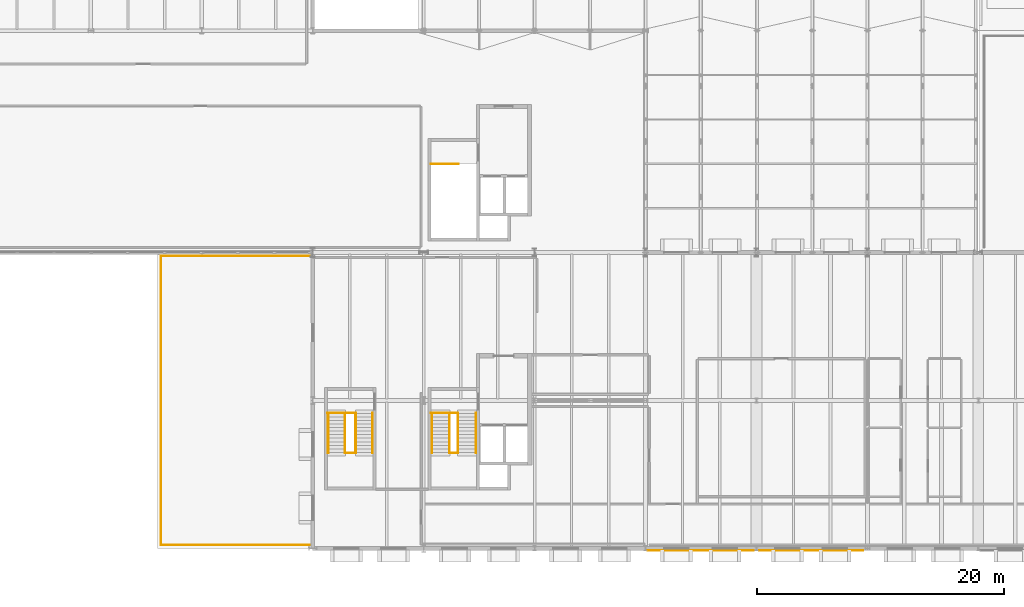
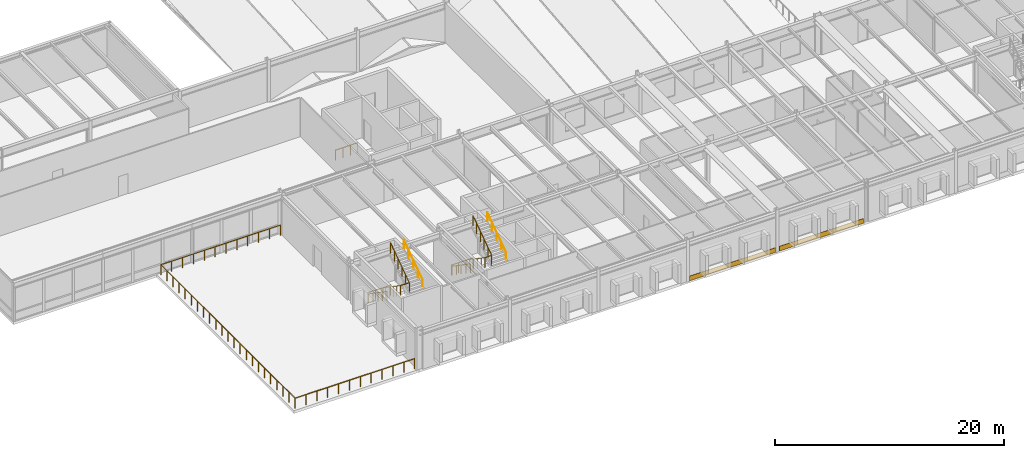
# One storey, part 139 of 142: 16 railings, 2 coverings.
"""IFC4 building model written with IfcOpenShell, lengths in metres."""

from ifc_helpers import new_model, si_unit, direction, frame, origin, origin_2d, place, context, subcontext, project, spatial, rectangle, circle, extrude, material, layer, layer_set, type_object, element, save


model = new_model("IFC4")

# Units and contexts
model_context = context("Model", 3, precision=1e-05, world=origin(), true_north=direction((0.0, 1.0)))
body_context = subcontext(model_context, "Body", "Model", "MODEL_VIEW")
ifc_project = project(units=[si_unit("LENGTHUNIT", "METRE"), si_unit("AREAUNIT", "SQUARE_METRE"), si_unit("VOLUMEUNIT", "CUBIC_METRE"), si_unit("PLANEANGLEUNIT", "RADIAN"), si_unit("MASSUNIT", "GRAM", prefix="KILO")], contexts=[model_context])

# Site, building, storey
site_placement = place(None, origin())
site = spatial("IfcSite", under=ifc_project, at=site_placement, CompositionType="ELEMENT")
building_placement = place(site_placement, origin())
building = spatial("IfcBuilding", under=site, at=building_placement, Name="Montelvaro Courts of Justice", CompositionType="ELEMENT")
storey_placement = place(building_placement, frame((0.0, 0.0, 14.39990234375)))
storey = spatial("IfcBuildingStorey", under=building, at=storey_placement, Name="L03", CompositionType="ELEMENT", Elevation=14.39990234375)

# Coverings
ifc_material_1 = material(Name="White mineral precast concrete C45/55", Category="concrete")
ifc_layer = layer(ifc_material_1, 0.0400390625)
ifc_layer_set = layer_set([ifc_layer], Name="White mineral precast concrete C45/55")
covering_type = type_object("IfcCoveringType", Name="BarCladding_GFRC", PredefinedType="CLADDING", material=ifc_layer_set)
covering_1_placement = place(storey_placement, frame((76.47509765625, -0.162109375, 0.030029296875), z_axis=(0.0, 0.0, 1.0), x_axis=(1.0, 0.0, 0.0)))
element("IfcCovering", 1, at=covering_1_placement, inside=storey, type_object=covering_type, Name="Horizontal White Bar Spandrel Cladding CL-01-017", PredefinedType="CLADDING", context=body_context, shape_type="SweptSolid", body=[
    extrude(rectangle(XDim=8.634033203125, YDim=0.0400390625, at=origin_2d()), origin(), (0.0, 0.0, 1.0), 0.5),
])
covering_2_placement = place(storey_placement, frame((85.43994140625, -0.162109375, 0.030029296875), z_axis=(0.0, 0.0, 1.0), x_axis=(1.0, 0.0, 0.0)))
element("IfcCovering", 2, at=covering_2_placement, inside=storey, type_object=covering_type, Name="Horizontal White Bar Spandrel Cladding CL-01-018", PredefinedType="CLADDING", context=body_context, shape_type="SweptSolid", body=[
    extrude(rectangle(XDim=8.464111328125, YDim=0.0400390625, at=origin_2d()), origin(), (0.0, 0.0, 1.0), 0.5),
])

# Railings
ifc_material_2 = material(Name="Steel S355", Category="steel")
railing_type_1 = type_object("IfcRailingType", Name="InteriorGuard_1100", PredefinedType="BALUSTRADE", material=ifc_material_2)
railing_1_placement = place(storey_placement, frame((54.60009765625, 11.0, 0.0)))
element("IfcRailing", 3, at=railing_1_placement, inside=storey, type_object=railing_type_1, Name="Stair Well Guard GR-02 ST-K1-L02-TLG", PredefinedType="BALUSTRADE", context=body_context, shape_type="SweptSolid", body=[
    extrude(circle(Radius=0.02392578125, at=origin_2d()), frame((0.0, 0.0, 1.076171875), z_axis=(1.0, 0.0, 0.0), x_axis=(0.0, 1.0, 0.0)), (0.0, 0.0, 1.0), 2.18994140625),
    extrude(circle(Radius=0.02099609375, at=origin_2d()), origin(), (0.0, 0.0, 1.0), 1.052001953125),
    extrude(circle(Radius=0.02099609375, at=origin_2d()), frame((0.72998046875, 0.0, 0.0)), (0.0, 0.0, 1.0), 1.052001953125),
    extrude(circle(Radius=0.02099609375, at=origin_2d()), frame((1.4599609375, 0.0, 0.0)), (0.0, 0.0, 1.0), 1.052001953125),
    extrude(circle(Radius=0.02099609375, at=origin_2d()), frame((2.18994140625, 0.0, 0.0)), (0.0, 0.0, 1.0), 1.052001953125),
])
railing_2_placement = place(storey_placement, frame((56.110107421875, 11.0, 0.0)))
element("IfcRailing", 4, at=railing_2_placement, inside=storey, type_object=railing_type_1, Name="Stair Well Guard GR-02 ST-K1-L03-F1G", PredefinedType="BALUSTRADE", context=body_context, shape_type="SweptSolid", body=[
    extrude(circle(Radius=0.02392578125, at=origin_2d()), frame((0.0, 0.0, 1.076171875), z_axis=(0.0, -0.823407228882, 0.567450910146), x_axis=(1.0, 0.0, 0.0)), (0.0, 0.0, 1.0), 3.965087890625),
    extrude(circle(Radius=0.02099609375, at=origin_2d()), origin(), (0.0, 0.0, 1.0), 1.052001953125),
    extrude(circle(Radius=0.02099609375, at=origin_2d()), frame((0.0, -0.653076171875, 0.449951171875)), (0.0, 0.0, 1.0), 1.052001953125),
    extrude(circle(Radius=0.02099609375, at=origin_2d()), frame((0.0, -1.305908203125, 0.89990234375)), (0.0, 0.0, 1.0), 1.052001953125),
    extrude(circle(Radius=0.02099609375, at=origin_2d()), frame((0.0, -1.958984375, 1.35009765625)), (0.0, 0.0, 1.0), 1.052001953125),
    extrude(circle(Radius=0.02099609375, at=origin_2d()), frame((0.0, -2.61181640625, 1.800048828125)), (0.0, 0.0, 1.0), 1.052001953125),
    extrude(circle(Radius=0.02099609375, at=origin_2d()), frame((0.0, -3.264892578125, 2.25)), (0.0, 0.0, 1.0), 1.052001953125),
])
railing_3_placement = place(storey_placement, frame((56.7900390625, 7.735107421875, 2.25)))
element("IfcRailing", 5, at=railing_3_placement, inside=storey, type_object=railing_type_1, Name="Stair Well Guard GR-02 ST-K1-L03-F2G", PredefinedType="BALUSTRADE", context=body_context, shape_type="SweptSolid", body=[
    extrude(circle(Radius=0.02392578125, at=origin_2d()), frame((0.0, 0.0, 1.076171875), z_axis=(0.0, 0.823407228882, 0.567450910146), x_axis=(-1.0, 0.0, 0.0)), (0.0, 0.0, 1.0), 3.965087890625),
    extrude(circle(Radius=0.02099609375, at=origin_2d()), origin(), (0.0, 0.0, 1.0), 1.052001953125),
    extrude(circle(Radius=0.02099609375, at=origin_2d()), frame((0.0, 0.653076171875, 0.449951171875)), (0.0, 0.0, 1.0), 1.052001953125),
    extrude(circle(Radius=0.02099609375, at=origin_2d()), frame((0.0, 1.305908203125, 0.89990234375)), (0.0, 0.0, 1.0), 1.052001953125),
    extrude(circle(Radius=0.02099609375, at=origin_2d()), frame((0.0, 1.958984375, 1.35009765625)), (0.0, 0.0, 1.0), 1.052001953125),
    extrude(circle(Radius=0.02099609375, at=origin_2d()), frame((0.0, 2.61181640625, 1.800048828125)), (0.0, 0.0, 1.0), 1.052001953125),
    extrude(circle(Radius=0.02099609375, at=origin_2d()), frame((0.0, 3.264892578125, 2.25)), (0.0, 0.0, 1.0), 1.052001953125),
])
railing_4_placement = place(storey_placement, frame((56.110107421875, 7.735107421875, 2.25)))
element("IfcRailing", 6, at=railing_4_placement, inside=storey, type_object=railing_type_1, Name="Stair Well Guard GR-02 ST-K1-L03-MLG", PredefinedType="BALUSTRADE", context=body_context, shape_type="SweptSolid", body=[
    extrude(circle(Radius=0.02392578125, at=origin_2d()), frame((0.0, 0.0, 1.076171875), z_axis=(1.0, 0.0, 0.0), x_axis=(0.0, 1.0, 0.0)), (0.0, 0.0, 1.0), 0.679931640625),
    extrude(circle(Radius=0.02099609375, at=origin_2d()), origin(), (0.0, 0.0, 1.0), 1.052001953125),
    extrude(circle(Radius=0.02099609375, at=origin_2d()), frame((0.679931640625, 0.0, 0.0)), (0.0, 0.0, 1.0), 1.052001953125),
])
railing_5_placement = place(storey_placement, frame((54.60009765625, 31.199951171875, 0.0)))
element("IfcRailing", 7, at=railing_5_placement, inside=storey, type_object=railing_type_1, Name="Stair Well Guard GR-02 ST-W1-L02-TLG", PredefinedType="BALUSTRADE", context=body_context, shape_type="SweptSolid", body=[
    extrude(circle(Radius=0.02392578125, at=origin_2d()), frame((0.0, 0.0, 1.076171875), z_axis=(1.0, 0.0, 0.0), x_axis=(0.0, 1.0, 0.0)), (0.0, 0.0, 1.0), 2.239990234375),
    extrude(circle(Radius=0.02099609375, at=origin_2d()), origin(), (0.0, 0.0, 1.0), 1.052001953125),
    extrude(circle(Radius=0.02099609375, at=origin_2d()), frame((0.74658203125, 0.0, 0.0)), (0.0, 0.0, 1.0), 1.052001953125),
    extrude(circle(Radius=0.02099609375, at=origin_2d()), frame((1.493408203125, 0.0, 0.0)), (0.0, 0.0, 1.0), 1.052001953125),
    extrude(circle(Radius=0.02099609375, at=origin_2d()), frame((2.239990234375, 0.0, 0.0)), (0.0, 0.0, 1.0), 1.052001953125),
])
railing_6_placement = place(storey_placement, frame((46.199951171875, 11.0, 0.0)))
element("IfcRailing", 8, at=railing_6_placement, inside=storey, type_object=railing_type_1, Name="Stair Well Guard GR-02 ST-E1-L02-TLG", PredefinedType="BALUSTRADE", context=body_context, shape_type="SweptSolid", body=[
    extrude(circle(Radius=0.02392578125, at=origin_2d()), frame((0.0, 0.0, 1.076171875), z_axis=(1.0, 0.0, 0.0), x_axis=(0.0, 1.0, 0.0)), (0.0, 0.0, 1.0), 2.2900390625),
    extrude(circle(Radius=0.02099609375, at=origin_2d()), origin(), (0.0, 0.0, 1.0), 1.052001953125),
    extrude(circle(Radius=0.02099609375, at=origin_2d()), frame((0.763427734375, 0.0, 0.0)), (0.0, 0.0, 1.0), 1.052001953125),
    extrude(circle(Radius=0.02099609375, at=origin_2d()), frame((1.526611328125, 0.0, 0.0)), (0.0, 0.0, 1.0), 1.052001953125),
    extrude(circle(Radius=0.02099609375, at=origin_2d()), frame((2.2900390625, 0.0, 0.0)), (0.0, 0.0, 1.0), 1.052001953125),
])
railing_7_placement = place(storey_placement, frame((47.610107421875, 11.0, 0.0)))
element("IfcRailing", 9, at=railing_7_placement, inside=storey, type_object=railing_type_1, Name="Stair Well Guard GR-02 ST-E1-L03-F1G", PredefinedType="BALUSTRADE", context=body_context, shape_type="SweptSolid", body=[
    extrude(circle(Radius=0.02392578125, at=origin_2d()), frame((0.0, 0.0, 1.076171875), z_axis=(0.0, -0.823407228882, 0.567450910146), x_axis=(1.0, 0.0, 0.0)), (0.0, 0.0, 1.0), 3.965087890625),
    extrude(circle(Radius=0.02099609375, at=origin_2d()), origin(), (0.0, 0.0, 1.0), 1.052001953125),
    extrude(circle(Radius=0.02099609375, at=origin_2d()), frame((0.0, -0.653076171875, 0.449951171875)), (0.0, 0.0, 1.0), 1.052001953125),
    extrude(circle(Radius=0.02099609375, at=origin_2d()), frame((0.0, -1.305908203125, 0.89990234375)), (0.0, 0.0, 1.0), 1.052001953125),
    extrude(circle(Radius=0.02099609375, at=origin_2d()), frame((0.0, -1.958984375, 1.35009765625)), (0.0, 0.0, 1.0), 1.052001953125),
    extrude(circle(Radius=0.02099609375, at=origin_2d()), frame((0.0, -2.61181640625, 1.800048828125)), (0.0, 0.0, 1.0), 1.052001953125),
    extrude(circle(Radius=0.02099609375, at=origin_2d()), frame((0.0, -3.264892578125, 2.25)), (0.0, 0.0, 1.0), 1.052001953125),
])
railing_8_placement = place(storey_placement, frame((48.489990234375, 7.735107421875, 2.25)))
element("IfcRailing", 10, at=railing_8_placement, inside=storey, type_object=railing_type_1, Name="Stair Well Guard GR-02 ST-E1-L03-F2G", PredefinedType="BALUSTRADE", context=body_context, shape_type="SweptSolid", body=[
    extrude(circle(Radius=0.02392578125, at=origin_2d()), frame((0.0, 0.0, 1.076171875), z_axis=(0.0, 0.823407228882, 0.567450910146), x_axis=(-1.0, 0.0, 0.0)), (0.0, 0.0, 1.0), 3.965087890625),
    extrude(circle(Radius=0.02099609375, at=origin_2d()), origin(), (0.0, 0.0, 1.0), 1.052001953125),
    extrude(circle(Radius=0.02099609375, at=origin_2d()), frame((0.0, 0.653076171875, 0.449951171875)), (0.0, 0.0, 1.0), 1.052001953125),
    extrude(circle(Radius=0.02099609375, at=origin_2d()), frame((0.0, 1.305908203125, 0.89990234375)), (0.0, 0.0, 1.0), 1.052001953125),
    extrude(circle(Radius=0.02099609375, at=origin_2d()), frame((0.0, 1.958984375, 1.35009765625)), (0.0, 0.0, 1.0), 1.052001953125),
    extrude(circle(Radius=0.02099609375, at=origin_2d()), frame((0.0, 2.61181640625, 1.800048828125)), (0.0, 0.0, 1.0), 1.052001953125),
    extrude(circle(Radius=0.02099609375, at=origin_2d()), frame((0.0, 3.264892578125, 2.25)), (0.0, 0.0, 1.0), 1.052001953125),
])
railing_9_placement = place(storey_placement, frame((47.610107421875, 7.735107421875, 2.25)))
element("IfcRailing", 11, at=railing_9_placement, inside=storey, type_object=railing_type_1, Name="Stair Well Guard GR-02 ST-E1-L03-MLG", PredefinedType="BALUSTRADE", context=body_context, shape_type="SweptSolid", body=[
    extrude(circle(Radius=0.02392578125, at=origin_2d()), frame((0.0, 0.0, 1.076171875), z_axis=(1.0, 0.0, 0.0), x_axis=(0.0, 1.0, 0.0)), (0.0, 0.0, 1.0), 0.8798828125),
    extrude(circle(Radius=0.02099609375, at=origin_2d()), origin(), (0.0, 0.0, 1.0), 1.052001953125),
    extrude(circle(Radius=0.02099609375, at=origin_2d()), frame((0.8798828125, 0.0, 0.0)), (0.0, 0.0, 1.0), 1.052001953125),
])
ifc_material_3 = material(Name="Austenitic stainless steel EN 1.4401", Category="steel")
railing_type_2 = type_object("IfcRailingType", Name="StairHandrail_950", PredefinedType="HANDRAIL", material=ifc_material_3)
railing_10_placement = place(storey_placement, frame((54.659912109375, 11.0, 0.0)))
element("IfcRailing", 12, at=railing_10_placement, inside=storey, type_object=railing_type_2, Name="Stair Pitch Handrail HR-01 ST-K1-L03-F1H", PredefinedType="HANDRAIL", context=body_context, shape_type="SweptSolid", body=[
    extrude(circle(Radius=0.02392578125, at=origin_2d()), frame((0.0, 0.0, 0.92578125), z_axis=(0.0, -0.823407228882, 0.567450910146), x_axis=(1.0, 0.0, 0.0)), (0.0, 0.0, 1.0), 3.965087890625),
    extrude(circle(Radius=0.02099609375, at=origin_2d()), origin(), (0.0, 0.0, 1.0), 0.90185546875),
    extrude(circle(Radius=0.02099609375, at=origin_2d()), frame((0.0, -0.816162109375, 0.5625)), (0.0, 0.0, 1.0), 0.90185546875),
    extrude(circle(Radius=0.02099609375, at=origin_2d()), frame((0.0, -1.63232421875, 1.125)), (0.0, 0.0, 1.0), 0.90185546875),
    extrude(circle(Radius=0.02099609375, at=origin_2d()), frame((0.0, -2.44873046875, 1.6875)), (0.0, 0.0, 1.0), 0.90185546875),
    extrude(circle(Radius=0.02099609375, at=origin_2d()), frame((0.0, -3.264892578125, 2.25)), (0.0, 0.0, 1.0), 0.90185546875),
])
railing_11_placement = place(storey_placement, frame((58.239990234375, 7.735107421875, 2.25)))
element("IfcRailing", 13, at=railing_11_placement, inside=storey, type_object=railing_type_2, Name="Stair Pitch Handrail HR-01 ST-K1-L03-F2H", PredefinedType="HANDRAIL", context=body_context, shape_type="SweptSolid", body=[
    extrude(circle(Radius=0.02392578125, at=origin_2d()), frame((0.0, 0.0, 0.92578125), z_axis=(0.0, 0.823407228882, 0.567450910146), x_axis=(-1.0, 0.0, 0.0)), (0.0, 0.0, 1.0), 3.965087890625),
    extrude(circle(Radius=0.02099609375, at=origin_2d()), origin(), (0.0, 0.0, 1.0), 0.90185546875),
    extrude(circle(Radius=0.02099609375, at=origin_2d()), frame((0.0, 0.816162109375, 0.5625)), (0.0, 0.0, 1.0), 0.90185546875),
    extrude(circle(Radius=0.02099609375, at=origin_2d()), frame((0.0, 1.63232421875, 1.125)), (0.0, 0.0, 1.0), 0.90185546875),
    extrude(circle(Radius=0.02099609375, at=origin_2d()), frame((0.0, 2.44873046875, 1.6875)), (0.0, 0.0, 1.0), 0.90185546875),
    extrude(circle(Radius=0.02099609375, at=origin_2d()), frame((0.0, 3.264892578125, 2.25)), (0.0, 0.0, 1.0), 0.90185546875),
])
railing_12_placement = place(storey_placement, frame((46.260009765625, 11.0, 0.0)))
element("IfcRailing", 14, at=railing_12_placement, inside=storey, type_object=railing_type_2, Name="Stair Pitch Handrail HR-01 ST-E1-L03-F1H", PredefinedType="HANDRAIL", context=body_context, shape_type="SweptSolid", body=[
    extrude(circle(Radius=0.02392578125, at=origin_2d()), frame((0.0, 0.0, 0.92578125), z_axis=(0.0, -0.823407228882, 0.567450910146), x_axis=(1.0, 0.0, 0.0)), (0.0, 0.0, 1.0), 3.965087890625),
    extrude(circle(Radius=0.02099609375, at=origin_2d()), origin(), (0.0, 0.0, 1.0), 0.90185546875),
    extrude(circle(Radius=0.02099609375, at=origin_2d()), frame((0.0, -0.816162109375, 0.5625)), (0.0, 0.0, 1.0), 0.90185546875),
    extrude(circle(Radius=0.02099609375, at=origin_2d()), frame((0.0, -1.63232421875, 1.125)), (0.0, 0.0, 1.0), 0.90185546875),
    extrude(circle(Radius=0.02099609375, at=origin_2d()), frame((0.0, -2.44873046875, 1.6875)), (0.0, 0.0, 1.0), 0.90185546875),
    extrude(circle(Radius=0.02099609375, at=origin_2d()), frame((0.0, -3.264892578125, 2.25)), (0.0, 0.0, 1.0), 0.90185546875),
])
railing_13_placement = place(storey_placement, frame((49.840087890625, 7.735107421875, 2.25)))
element("IfcRailing", 15, at=railing_13_placement, inside=storey, type_object=railing_type_2, Name="Stair Pitch Handrail HR-01 ST-E1-L03-F2H", PredefinedType="HANDRAIL", context=body_context, shape_type="SweptSolid", body=[
    extrude(circle(Radius=0.02392578125, at=origin_2d()), frame((0.0, 0.0, 0.92578125), z_axis=(0.0, 0.823407228882, 0.567450910146), x_axis=(-1.0, 0.0, 0.0)), (0.0, 0.0, 1.0), 3.965087890625),
    extrude(circle(Radius=0.02099609375, at=origin_2d()), origin(), (0.0, 0.0, 1.0), 0.90185546875),
    extrude(circle(Radius=0.02099609375, at=origin_2d()), frame((0.0, 0.816162109375, 0.5625)), (0.0, 0.0, 1.0), 0.90185546875),
    extrude(circle(Radius=0.02099609375, at=origin_2d()), frame((0.0, 1.63232421875, 1.125)), (0.0, 0.0, 1.0), 0.90185546875),
    extrude(circle(Radius=0.02099609375, at=origin_2d()), frame((0.0, 2.44873046875, 1.6875)), (0.0, 0.0, 1.0), 0.90185546875),
    extrude(circle(Radius=0.02099609375, at=origin_2d()), frame((0.0, 3.264892578125, 2.25)), (0.0, 0.0, 1.0), 0.90185546875),
])
railing_type_3 = type_object("IfcRailingType", Name="TerraceGuard_1100", PredefinedType="BALUSTRADE", material=ifc_material_2)
railing_14_placement = place(storey_placement, frame((44.719970703125, 0.280029296875, 0.0)))
element("IfcRailing", 16, at=railing_14_placement, inside=storey, type_object=railing_type_3, Name="Terrace Balustrade Guard GR-01 (L03)", PredefinedType="BALUSTRADE", context=body_context, shape_type="SweptSolid", body=[
    extrude(circle(Radius=0.02392578125, at=origin_2d()), frame((0.0, 0.0, 1.076171875), z_axis=(-1.0, 0.0, 0.0), x_axis=(0.0, -1.0, 0.0)), (0.0, 0.0, 1.0), 12.0400390625),
    extrude(circle(Radius=0.02099609375, at=origin_2d()), origin(), (0.0, 0.0, 1.0), 1.052001953125),
    extrude(circle(Radius=0.02099609375, at=origin_2d()), frame((-1.094482421875, 0.0, 0.0)), (0.0, 0.0, 1.0), 1.052001953125),
    extrude(circle(Radius=0.02099609375, at=origin_2d()), frame((-2.189208984375, 0.0, 0.0)), (0.0, 0.0, 1.0), 1.052001953125),
    extrude(circle(Radius=0.02099609375, at=origin_2d()), frame((-3.28369140625, 0.0, 0.0)), (0.0, 0.0, 1.0), 1.052001953125),
    extrude(circle(Radius=0.02099609375, at=origin_2d()), frame((-4.378173828125, 0.0, 0.0)), (0.0, 0.0, 1.0), 1.052001953125),
    extrude(circle(Radius=0.02099609375, at=origin_2d()), frame((-5.47265625, 0.0, 0.0)), (0.0, 0.0, 1.0), 1.052001953125),
    extrude(circle(Radius=0.02099609375, at=origin_2d()), frame((-6.5673828125, 0.0, 0.0)), (0.0, 0.0, 1.0), 1.052001953125),
    extrude(circle(Radius=0.02099609375, at=origin_2d()), frame((-7.661865234375, 0.0, 0.0)), (0.0, 0.0, 1.0), 1.052001953125),
    extrude(circle(Radius=0.02099609375, at=origin_2d()), frame((-8.75634765625, 0.0, 0.0)), (0.0, 0.0, 1.0), 1.052001953125),
    extrude(circle(Radius=0.02099609375, at=origin_2d()), frame((-9.850830078125, 0.0, 0.0)), (0.0, 0.0, 1.0), 1.052001953125),
    extrude(circle(Radius=0.02099609375, at=origin_2d()), frame((-10.945556640625, 0.0, 0.0)), (0.0, 0.0, 1.0), 1.052001953125),
    extrude(circle(Radius=0.02099609375, at=origin_2d()), frame((-12.0400390625, 0.0, 0.0)), (0.0, 0.0, 1.0), 1.052001953125),
])
railing_15_placement = place(storey_placement, frame((32.679931640625, 0.280029296875, 0.0)))
element("IfcRailing", 17, at=railing_15_placement, inside=storey, type_object=railing_type_3, Name="Terrace Balustrade Guard GR-01 (L03)", PredefinedType="BALUSTRADE", context=body_context, shape_type="SweptSolid", body=[
    extrude(circle(Radius=0.02392578125, at=origin_2d()), frame((0.0, 0.0, 1.076171875), z_axis=(0.0, 1.0, 0.0), x_axis=(-1.0, 0.0, 0.0)), (0.0, 0.0, 1.0), 23.43994140625),
    extrude(circle(Radius=0.02099609375, at=origin_2d()), origin(), (0.0, 0.0, 1.0), 1.052001953125),
    extrude(circle(Radius=0.02099609375, at=origin_2d()), frame((0.0, 1.0654296875, 0.0)), (0.0, 0.0, 1.0), 1.052001953125),
    extrude(circle(Radius=0.02099609375, at=origin_2d()), frame((0.0, 2.130859375, 0.0)), (0.0, 0.0, 1.0), 1.052001953125),
    extrude(circle(Radius=0.02099609375, at=origin_2d()), frame((0.0, 3.1962890625, 0.0)), (0.0, 0.0, 1.0), 1.052001953125),
    extrude(circle(Radius=0.02099609375, at=origin_2d()), frame((0.0, 4.26171875, 0.0)), (0.0, 0.0, 1.0), 1.052001953125),
    extrude(circle(Radius=0.02099609375, at=origin_2d()), frame((0.0, 5.3271484375, 0.0)), (0.0, 0.0, 1.0), 1.052001953125),
    extrude(circle(Radius=0.02099609375, at=origin_2d()), frame((0.0, 6.392822265625, 0.0)), (0.0, 0.0, 1.0), 1.052001953125),
    extrude(circle(Radius=0.02099609375, at=origin_2d()), frame((0.0, 7.458251953125, 0.0)), (0.0, 0.0, 1.0), 1.052001953125),
    extrude(circle(Radius=0.02099609375, at=origin_2d()), frame((0.0, 8.523681640625, 0.0)), (0.0, 0.0, 1.0), 1.052001953125),
    extrude(circle(Radius=0.02099609375, at=origin_2d()), frame((0.0, 9.589111328125, 0.0)), (0.0, 0.0, 1.0), 1.052001953125),
    extrude(circle(Radius=0.02099609375, at=origin_2d()), frame((0.0, 10.654541015625, 0.0)), (0.0, 0.0, 1.0), 1.052001953125),
    extrude(circle(Radius=0.02099609375, at=origin_2d()), frame((0.0, 11.719970703125, 0.0)), (0.0, 0.0, 1.0), 1.052001953125),
    extrude(circle(Radius=0.02099609375, at=origin_2d()), frame((0.0, 12.785400390625, 0.0)), (0.0, 0.0, 1.0), 1.052001953125),
    extrude(circle(Radius=0.02099609375, at=origin_2d()), frame((0.0, 13.850830078125, 0.0)), (0.0, 0.0, 1.0), 1.052001953125),
    extrude(circle(Radius=0.02099609375, at=origin_2d()), frame((0.0, 14.916259765625, 0.0)), (0.0, 0.0, 1.0), 1.052001953125),
    extrude(circle(Radius=0.02099609375, at=origin_2d()), frame((0.0, 15.981689453125, 0.0)), (0.0, 0.0, 1.0), 1.052001953125),
    extrude(circle(Radius=0.02099609375, at=origin_2d()), frame((0.0, 17.047119140625, 0.0)), (0.0, 0.0, 1.0), 1.052001953125),
    extrude(circle(Radius=0.02099609375, at=origin_2d()), frame((0.0, 18.11279296875, 0.0)), (0.0, 0.0, 1.0), 1.052001953125),
    extrude(circle(Radius=0.02099609375, at=origin_2d()), frame((0.0, 19.17822265625, 0.0)), (0.0, 0.0, 1.0), 1.052001953125),
    extrude(circle(Radius=0.02099609375, at=origin_2d()), frame((0.0, 20.24365234375, 0.0)), (0.0, 0.0, 1.0), 1.052001953125),
    extrude(circle(Radius=0.02099609375, at=origin_2d()), frame((0.0, 21.30908203125, 0.0)), (0.0, 0.0, 1.0), 1.052001953125),
    extrude(circle(Radius=0.02099609375, at=origin_2d()), frame((0.0, 22.37451171875, 0.0)), (0.0, 0.0, 1.0), 1.052001953125),
    extrude(circle(Radius=0.02099609375, at=origin_2d()), frame((0.0, 23.43994140625, 0.0)), (0.0, 0.0, 1.0), 1.052001953125),
])
railing_16_placement = place(storey_placement, frame((32.679931640625, 23.719970703125, 0.0)))
element("IfcRailing", 18, at=railing_16_placement, inside=storey, type_object=railing_type_3, Name="Terrace Balustrade Guard GR-01 (L03)", PredefinedType="BALUSTRADE", context=body_context, shape_type="SweptSolid", body=[
    extrude(circle(Radius=0.02392578125, at=origin_2d()), frame((0.0, 0.0, 1.076171875), z_axis=(1.0, 0.0, 0.0), x_axis=(0.0, 1.0, 0.0)), (0.0, 0.0, 1.0), 12.0400390625),
    extrude(circle(Radius=0.02099609375, at=origin_2d()), origin(), (0.0, 0.0, 1.0), 1.052001953125),
    extrude(circle(Radius=0.02099609375, at=origin_2d()), frame((1.094482421875, 0.0, 0.0)), (0.0, 0.0, 1.0), 1.052001953125),
    extrude(circle(Radius=0.02099609375, at=origin_2d()), frame((2.189208984375, 0.0, 0.0)), (0.0, 0.0, 1.0), 1.052001953125),
    extrude(circle(Radius=0.02099609375, at=origin_2d()), frame((3.28369140625, 0.0, 0.0)), (0.0, 0.0, 1.0), 1.052001953125),
    extrude(circle(Radius=0.02099609375, at=origin_2d()), frame((4.378173828125, 0.0, 0.0)), (0.0, 0.0, 1.0), 1.052001953125),
    extrude(circle(Radius=0.02099609375, at=origin_2d()), frame((5.47265625, 0.0, 0.0)), (0.0, 0.0, 1.0), 1.052001953125),
    extrude(circle(Radius=0.02099609375, at=origin_2d()), frame((6.5673828125, 0.0, 0.0)), (0.0, 0.0, 1.0), 1.052001953125),
    extrude(circle(Radius=0.02099609375, at=origin_2d()), frame((7.661865234375, 0.0, 0.0)), (0.0, 0.0, 1.0), 1.052001953125),
    extrude(circle(Radius=0.02099609375, at=origin_2d()), frame((8.75634765625, 0.0, 0.0)), (0.0, 0.0, 1.0), 1.052001953125),
    extrude(circle(Radius=0.02099609375, at=origin_2d()), frame((9.850830078125, 0.0, 0.0)), (0.0, 0.0, 1.0), 1.052001953125),
    extrude(circle(Radius=0.02099609375, at=origin_2d()), frame((10.945556640625, 0.0, 0.0)), (0.0, 0.0, 1.0), 1.052001953125),
    extrude(circle(Radius=0.02099609375, at=origin_2d()), frame((12.0400390625, 0.0, 0.0)), (0.0, 0.0, 1.0), 1.052001953125),
])

save(model, "model.ifc")
